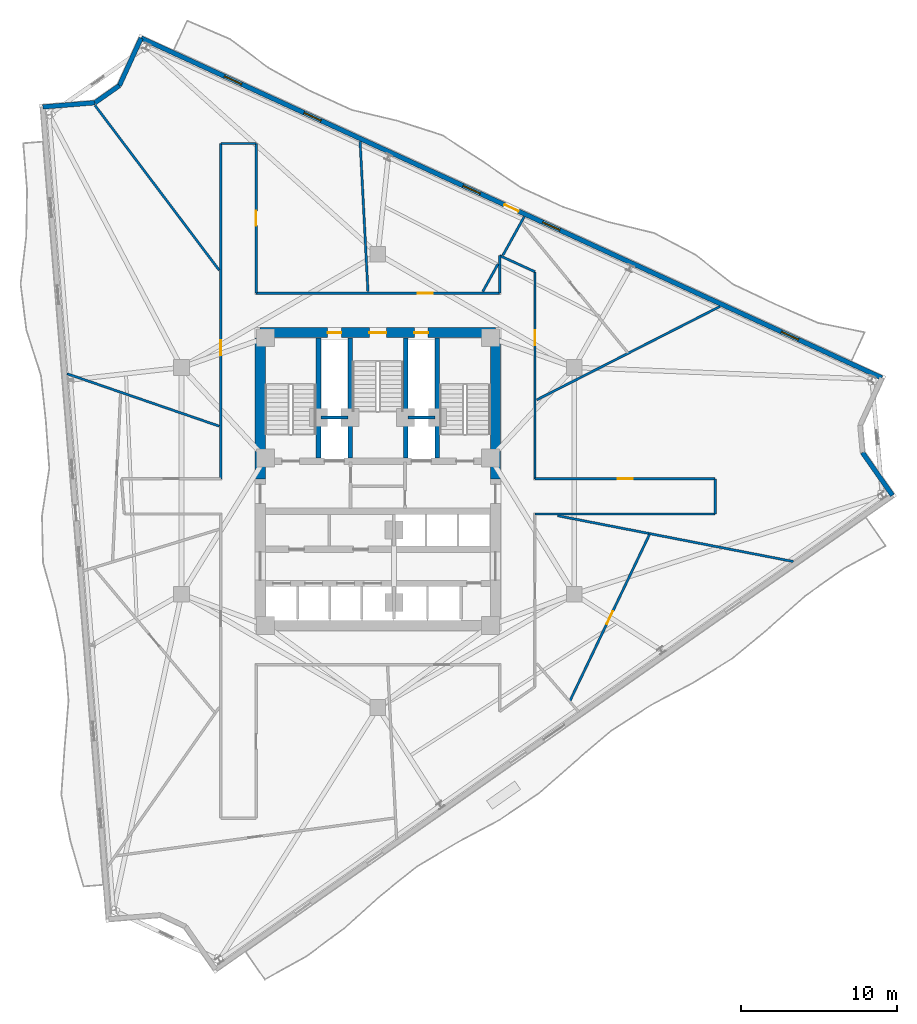
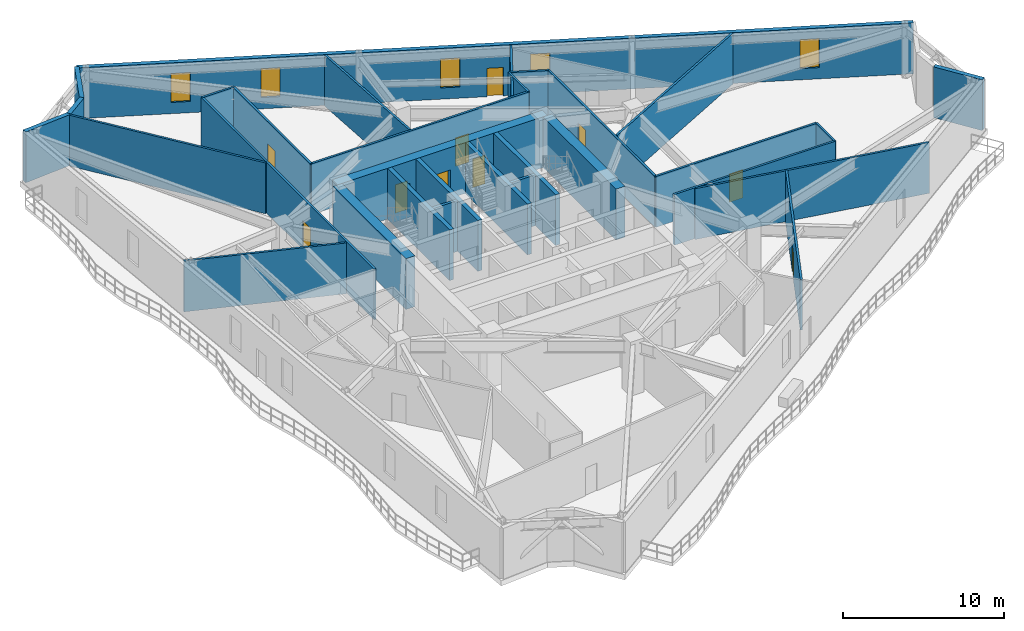
# One storey, part 9 of 14: 32 walls, 10 doors, 5 windows, 15 openings.
"""IFC4 building model written with IfcOpenShell, lengths in metres."""

import ifcopenshell
import ifcopenshell.guid

model = None  # the IFC model being written
_history = None  # IfcOwnerHistory: only IFC2X3 demands one
_inside = {}  # id of a spatial element -> (the spatial element, [elements in it])
_under = {}  # id of a project, library or spatial element -> (it, [spatial elements below it])
_declared = {}  # id of a project -> (the project, [libraries it declares])
_typed = {}  # id of a type object -> (the type object, [elements of that type])
_made_of = {}  # id of a material, layer set ... -> (it, [elements and type objects made of it])


def new_model(schema):
    """Start an empty IFC model of exactly this schema.

    Asked for "IFC4X3", IfcOpenShell would pick the latest addendum, in which some entities
    have other attributes; the version numbers below select the first issue.
    IFC2X3 requires an IfcOwnerHistory on every rooted entity: one is made here for all.
    """
    global model, _history
    if schema == "IFC4X3":
        model = ifcopenshell.file(schema_version=(4, 3, 0, 0))
    else:
        model = ifcopenshell.file(schema=schema)
    _inside.clear()
    _under.clear()
    _declared.clear()
    _typed.clear()
    _made_of.clear()
    _history = None
    if model.schema == "IFC2X3":
        org = make("IfcOrganization", Name="unknown")
        user = make(
            "IfcPersonAndOrganization",
            ThePerson=make("IfcPerson", FamilyName="unknown"),
            TheOrganization=org,
        )
        app = make(
            "IfcApplication",
            ApplicationDeveloper=org,
            Version="unknown",
            ApplicationFullName="unknown",
            ApplicationIdentifier="unknown",
        )
        _history = make(
            "IfcOwnerHistory",
            OwningUser=user,
            OwningApplication=app,
            ChangeAction="ADDED",
            CreationDate=0,
        )
    return model


def make(cls, **values):
    """One entity of the class cls with the attributes given. An attribute that is None is left unset."""
    return model.create_entity(
        cls, **{name: value for name, value in values.items() if value is not None}
    )


def rooted(cls, **values):
    """An entity with a GlobalId (a new one), such as an element, a storey or a relation."""
    return make(cls, GlobalId=ifcopenshell.guid.new(), OwnerHistory=_history, **values)


def si_unit(unit_type, name, prefix=None):
    """IfcSIUnit, for example si_unit("LENGTHUNIT", "METRE", prefix="MILLI")."""
    return make("IfcSIUnit", UnitType=unit_type, Prefix=prefix, Name=name)


def assignment(units):
    """IfcUnitAssignment: the units of a project."""
    return None if units is None else make("IfcUnitAssignment", Units=units)


def point(xyz):
    """IfcCartesianPoint."""
    return None if xyz is None else make("IfcCartesianPoint", Coordinates=xyz)


def direction(xyz):
    """IfcDirection."""
    return None if xyz is None else make("IfcDirection", DirectionRatios=xyz)


def frame(location, z_axis=None, x_axis=None):
    """IfcAxis2Placement3D, a coordinate frame: its origin and axes. An axis left out is left unset."""
    return make(
        "IfcAxis2Placement3D",
        Location=point(location),
        Axis=direction(z_axis),
        RefDirection=direction(x_axis),
    )


def frame_2d(location, x_axis=None):
    """IfcAxis2Placement2D, a coordinate frame in the plane: its origin and x axis."""
    return make(
        "IfcAxis2Placement2D", Location=point(location), RefDirection=direction(x_axis)
    )


def origin():
    """The frame at (0, 0, 0) with its axes left unset."""
    return frame((0.0, 0.0, 0.0))


def place(relative_to, where):
    """IfcLocalPlacement: puts the frame where relative to a parent placement (None: the world)."""
    return make(
        "IfcLocalPlacement", PlacementRelTo=relative_to, RelativePlacement=where
    )


def context(
    kind, dimensions, precision=None, world=None, true_north=None, identifier=None
):
    """IfcGeometricRepresentationContext, for example the 3D "Model" context."""
    return make(
        "IfcGeometricRepresentationContext",
        ContextIdentifier=identifier,
        ContextType=kind,
        CoordinateSpaceDimension=dimensions,
        Precision=precision,
        WorldCoordinateSystem=world,
        TrueNorth=true_north,
    )


def subcontext(parent, identifier, kind, view, scale=None):
    """IfcGeometricRepresentationSubContext, for example "Body" below "Model"."""
    return make(
        "IfcGeometricRepresentationSubContext",
        ContextIdentifier=identifier,
        ContextType=kind,
        ParentContext=parent,
        TargetScale=scale,
        TargetView=view,
    )


def project(units=None, contexts=None):
    """IfcProject with its units and contexts."""
    return rooted(
        "IfcProject",
        Name="project",
        RepresentationContexts=contexts,
        UnitsInContext=assignment(units),
    )


def spatial(cls, under=None, at=None, **own):
    """A site, building, storey or space (cls), placed at a placement, below another one or the project."""
    s = rooted(cls, ObjectPlacement=at, **own)
    if under is not None:
        _under.setdefault(under.id(), (under, []))[1].append(s)
    return s


def profile(cls, at=None, kind="AREA", **sizes):
    """A parametric profile (cls). Its sizes go by their IFC names, for example OverallWidth=200.0."""
    return make(cls, ProfileType=kind, Position=at, **sizes)


def rectangle(**sizes):
    """IfcRectangleProfileDef."""
    return profile("IfcRectangleProfileDef", **sizes)


def extrude(swept, where, along, depth):
    """IfcExtrudedAreaSolid: the profile swept, set in the frame where, extruded along a direction by depth."""
    return make(
        "IfcExtrudedAreaSolid",
        SweptArea=swept,
        Position=where,
        ExtrudedDirection=direction(along),
        Depth=depth,
    )


def shape(context_of_items, identifier, shape_type, items):
    """IfcShapeRepresentation: the items that make up one representation, for example the "Body"."""
    return make(
        "IfcShapeRepresentation",
        ContextOfItems=context_of_items,
        RepresentationIdentifier=identifier,
        RepresentationType=shape_type,
        Items=items,
    )


def material(Name=None, Category=None):
    """IfcMaterial."""
    return make("IfcMaterial", Name=Name, Category=Category)


def layer(
    of_material, thickness, ventilated=None, Name=None, Category=None, Priority=None
):
    """IfcMaterialLayer: one layer of a wall or slab, of a material (None: an air gap)."""
    return make(
        "IfcMaterialLayer",
        Material=of_material,
        LayerThickness=thickness,
        IsVentilated=ventilated,
        Name=Name,
        Category=Category,
        Priority=Priority,
    )


def layer_set(layers, Name=None):
    """IfcMaterialLayerSet."""
    return make("IfcMaterialLayerSet", MaterialLayers=layers, LayerSetName=Name)


def made_of(thing, what):
    """Note that an element or type object is made of a material, layer set ...; save() writes the relation."""
    if what is not None:
        _made_of.setdefault(what.id(), (what, []))[1].append(thing)
    return thing


def type_object(cls, material=None, **own):
    """A type object (cls), such as IfcWallType, which elements share."""
    return made_of(rooted(cls, **own), material)


def element(
    cls,
    number,
    at=None,
    inside=None,
    cuts=None,
    type_object=None,
    material=None,
    context=None,
    identifier="Body",
    shape_type=None,
    held_by="IfcProductDefinitionShape",
    body=None,
    shapes=None,
    **own,
):
    """One element of the class cls, such as IfcWall. Its Tag is "e" and its number.

    at: its placement. inside: the storey or other place that contains it. cuts: it is an
    opening in that element (IfcRelVoidsElement). A single representation is given by context,
    identifier, shape_type and body (its items); several are given by shapes. held_by: the class
    of the entity that holds the representations. save() writes the other relations.
    """
    e = rooted(cls, Tag="e%d" % number, ObjectPlacement=at, **own)
    if body is not None:
        shapes = [shape(context, identifier, shape_type, body)]
    if shapes is not None:
        e.Representation = make(held_by, Representations=shapes)
    if inside is not None:
        _inside.setdefault(inside.id(), (inside, []))[1].append(e)
    if cuts is not None:
        rooted(
            "IfcRelVoidsElement", RelatingBuildingElement=cuts, RelatedOpeningElement=e
        )
    if type_object is not None:
        _typed.setdefault(type_object.id(), (type_object, []))[1].append(e)
    return made_of(e, material)


def fill(opening, filler):
    """IfcRelFillsElement: the door or window that sits in an opening."""
    return rooted(
        "IfcRelFillsElement",
        RelatingOpeningElement=opening,
        RelatedBuildingElement=filler,
    )


def aggregate(whole, parts):
    """IfcRelAggregates: a whole, such as a stair, and the parts it consists of."""
    return rooted("IfcRelAggregates", RelatingObject=whole, RelatedObjects=parts)


def save(model, path):
    """Write the relations noted so far, then the file.

    IfcRelAggregates (storeys below a building ...), IfcRelContainedInSpatialStructure (elements
    in a storey), IfcRelDefinesByType, IfcRelAssociatesMaterial and IfcRelDeclares: one each for
    every whole, place, type object, material and project.
    """
    for whole, parts in _under.values():
        aggregate(whole, parts)
    for where, things in _inside.values():
        rooted(
            "IfcRelContainedInSpatialStructure",
            RelatedElements=things,
            RelatingStructure=where,
        )
    for kind, things in _typed.values():
        rooted("IfcRelDefinesByType", RelatedObjects=things, RelatingType=kind)
    for what, things in _made_of.values():
        rooted("IfcRelAssociatesMaterial", RelatedObjects=things, RelatingMaterial=what)
    for by, libraries in _declared.values():
        rooted("IfcRelDeclares", RelatingContext=by, RelatedDefinitions=libraries)
    model.write(path)


model = new_model("IFC4")

# Units and contexts
model_context = context("Model", 3, precision=1e-05, world=origin(), true_north=direction((0.0, 1.0)))
body_context = subcontext(model_context, "Body", "Model", "MODEL_VIEW")
ifc_project = project(units=[si_unit("LENGTHUNIT", "METRE"), si_unit("AREAUNIT", "SQUARE_METRE"), si_unit("VOLUMEUNIT", "CUBIC_METRE"), si_unit("PLANEANGLEUNIT", "RADIAN"), si_unit("MASSUNIT", "GRAM", prefix="KILO")], contexts=[model_context])

# Site, building, storey
site_placement = place(None, origin())
site = spatial("IfcSite", under=ifc_project, at=site_placement, CompositionType="ELEMENT")
building_placement = place(site_placement, origin())
building = spatial("IfcBuilding", under=site, at=building_placement, Name="Apsidion Concourse Tower", CompositionType="ELEMENT")
storey_placement = place(building_placement, frame((0.0, 0.0, 194.199951171875)))
storey = spatial("IfcBuildingStorey", under=building, at=storey_placement, Name="L45", CompositionType="ELEMENT", Elevation=194.199951171875)

# Wall, openings, door, windows
ifc_material_1 = material(Name="Precast concrete C40/50", Category="concrete")
ifc_layer_1 = layer(ifc_material_1, 0.300048828125)
ifc_layer_set_1 = layer_set([ifc_layer_1], Name="Precast concrete C40/50")
wall_type_1 = type_object("IfcWallType", Name="WL-EXT-300", PredefinedType="STANDARD", material=ifc_layer_set_1)
wall_1_placement = place(storey_placement, frame((-15.1435546875, 28.32177734375, 0.0), z_axis=(0.0, 0.0, 1.0), x_axis=(0.908932099953, -0.416944166136, 0.0)))
wall_1 = element("IfcWall", 1, at=wall_1_placement, inside=storey, type_object=wall_type_1, Name="L45 Precast Stone Facade Wall 01", PredefinedType="STANDARD", context=body_context, shape_type="SweptSolid", body=[
    extrude(rectangle(XDim=52.127685546875, YDim=0.300048828125, at=frame_2d((26.06396484375, 0.0))), origin(), (0.0, 0.0, 1.0), 3.85009765625),
])
opening_1_placement = place(wall_1_placement, frame((25.56396484375, 0.0, 0.0)))
opening_1 = element("IfcOpeningElement", 2, at=opening_1_placement, cuts=wall_1, Name="Opening D-T1R", PredefinedType="OPENING", context=body_context, shape_type="SweptSolid", body=[
    extrude(rectangle(XDim=1.0, YDim=2.14990234375, at=frame_2d((0.5, 1.074951171875))), frame((0.0, 0.16015625, 0.0), z_axis=(0.0, -1.0, 0.0), x_axis=(1.0, 0.0, 0.0)), (0.0, 0.0, 1.0), 0.320068359375),
])
opening_2_placement = place(wall_1_placement, frame((5.864013671875, 0.0, 0.85009765625)))
opening_2 = element("IfcOpeningElement", 3, at=opening_2_placement, cuts=wall_1, Name="Opening WN-06", PredefinedType="OPENING", context=body_context, shape_type="SweptSolid", body=[
    extrude(rectangle(XDim=1.199951171875, YDim=2.199951171875, at=frame_2d((0.60009765625, 1.10009765625))), frame((0.0, 0.16015625, 0.0), z_axis=(0.0, -1.0, 0.0), x_axis=(1.0, 0.0, 0.0)), (0.0, 0.0, 1.0), 0.320068359375),
])
opening_3_placement = place(wall_1_placement, frame((11.4638671875, 0.0, 0.85009765625)))
opening_3 = element("IfcOpeningElement", 4, at=opening_3_placement, cuts=wall_1, Name="Opening WN-06", PredefinedType="OPENING", context=body_context, shape_type="SweptSolid", body=[
    extrude(rectangle(XDim=1.199951171875, YDim=2.199951171875, at=frame_2d((0.60009765625, 1.10009765625))), frame((0.0, 0.16015625, 0.0), z_axis=(0.0, -1.0, 0.0), x_axis=(1.0, 0.0, 0.0)), (0.0, 0.0, 1.0), 0.320068359375),
])
opening_4_placement = place(wall_1_placement, frame((22.663818359375, 0.0, 0.85009765625)))
opening_4 = element("IfcOpeningElement", 5, at=opening_4_placement, cuts=wall_1, Name="Opening WN-06", PredefinedType="OPENING", context=body_context, shape_type="SweptSolid", body=[
    extrude(rectangle(XDim=1.199951171875, YDim=2.199951171875, at=frame_2d((0.60009765625, 1.10009765625))), frame((0.0, 0.16015625, 0.0), z_axis=(0.0, -1.0, 0.0), x_axis=(1.0, 0.0, 0.0)), (0.0, 0.0, 1.0), 0.320068359375),
])
opening_5_placement = place(wall_1_placement, frame((28.263916015625, 0.0, 0.85009765625)))
opening_5 = element("IfcOpeningElement", 6, at=opening_5_placement, cuts=wall_1, Name="Opening WN-06", PredefinedType="OPENING", context=body_context, shape_type="SweptSolid", body=[
    extrude(rectangle(XDim=1.199951171875, YDim=2.199951171875, at=frame_2d((0.60009765625, 1.10009765625))), frame((0.0, 0.16015625, 0.0), z_axis=(0.0, -1.0, 0.0), x_axis=(1.0, 0.0, 0.0)), (0.0, 0.0, 1.0), 0.320068359375),
])
opening_6_placement = place(wall_1_placement, frame((45.06396484375, 0.0, 0.85009765625)))
opening_6 = element("IfcOpeningElement", 7, at=opening_6_placement, cuts=wall_1, Name="Opening WN-06", PredefinedType="OPENING", context=body_context, shape_type="SweptSolid", body=[
    extrude(rectangle(XDim=1.199951171875, YDim=2.199951171875, at=frame_2d((0.60009765625, 1.10009765625))), frame((0.0, 0.16015625, 0.0), z_axis=(0.0, -1.0, 0.0), x_axis=(1.0, 0.0, 0.0)), (0.0, 0.0, 1.0), 0.320068359375),
])
ifc_material_2 = material(Name="Anodised aluminium EN AW-6063 T6", Category="aluminium")
door_type_1 = type_object("IfcDoorType", Name="DR-TER-1022R", OperationType="SINGLE_SWING_RIGHT", PredefinedType="DOOR", material=ifc_material_2)
door_1_placement = place(opening_1_placement, origin())
door_1 = element("IfcDoor", 8, at=door_1_placement, inside=storey, type_object=door_type_1, Name="L45 Balcony Access Door 3", OperationType="SINGLE_SWING_RIGHT", OverallHeight=2.14990234375, OverallWidth=1.0, PredefinedType="DOOR", context=body_context, shape_type="SweptSolid", body=[
    extrude(rectangle(XDim=1.0, YDim=2.14990234375, at=frame_2d((0.5, 1.074951171875))), frame((0.0, 0.02490234375, 0.0), z_axis=(0.0, -1.0, 0.0), x_axis=(1.0, 0.0, 0.0)), (0.0, 0.0, 1.0), 0.050048828125),
])
fill(opening_1, door_1)
ifc_material_3 = material(Name="Insulated laminated low-E glass", Category="glass")
window_type = type_object("IfcWindowType", Name="WN-OFF-1224", PartitioningType="SINGLE_PANEL", PredefinedType="WINDOW", material=ifc_material_3)
window_1_placement = place(opening_2_placement, origin())
window_1 = element("IfcWindow", 9, at=window_1_placement, inside=storey, type_object=window_type, Name="L45 Punched Facade Window 1-01", OverallHeight=2.199951171875, OverallWidth=1.199951171875, PartitioningType="SINGLE_PANEL", PredefinedType="WINDOW", context=body_context, shape_type="SweptSolid", body=[
    extrude(rectangle(XDim=1.199951171875, YDim=2.199951171875, at=frame_2d((0.60009765625, 1.10009765625))), frame((0.0, 0.030029296875, 0.0), z_axis=(0.0, -1.0, 0.0), x_axis=(1.0, 0.0, 0.0)), (0.0, 0.0, 1.0), 0.06005859375),
])
fill(opening_2, window_1)
window_2_placement = place(opening_3_placement, origin())
window_2 = element("IfcWindow", 10, at=window_2_placement, inside=storey, type_object=window_type, Name="L45 Punched Facade Window 1-02", OverallHeight=2.199951171875, OverallWidth=1.199951171875, PartitioningType="SINGLE_PANEL", PredefinedType="WINDOW", context=body_context, shape_type="SweptSolid", body=[
    extrude(rectangle(XDim=1.199951171875, YDim=2.199951171875, at=frame_2d((0.60009765625, 1.10009765625))), frame((0.0, 0.030029296875, 0.0), z_axis=(0.0, -1.0, 0.0), x_axis=(1.0, 0.0, 0.0)), (0.0, 0.0, 1.0), 0.06005859375),
])
fill(opening_3, window_2)
window_3_placement = place(opening_4_placement, origin())
window_3 = element("IfcWindow", 11, at=window_3_placement, inside=storey, type_object=window_type, Name="L45 Punched Facade Window 1-04", OverallHeight=2.199951171875, OverallWidth=1.199951171875, PartitioningType="SINGLE_PANEL", PredefinedType="WINDOW", context=body_context, shape_type="SweptSolid", body=[
    extrude(rectangle(XDim=1.199951171875, YDim=2.199951171875, at=frame_2d((0.60009765625, 1.10009765625))), frame((0.0, 0.030029296875, 0.0), z_axis=(0.0, -1.0, 0.0), x_axis=(1.0, 0.0, 0.0)), (0.0, 0.0, 1.0), 0.06005859375),
])
fill(opening_4, window_3)
window_4_placement = place(opening_5_placement, origin())
window_4 = element("IfcWindow", 12, at=window_4_placement, inside=storey, type_object=window_type, Name="L45 Punched Facade Window 1-05", OverallHeight=2.199951171875, OverallWidth=1.199951171875, PartitioningType="SINGLE_PANEL", PredefinedType="WINDOW", context=body_context, shape_type="SweptSolid", body=[
    extrude(rectangle(XDim=1.199951171875, YDim=2.199951171875, at=frame_2d((0.60009765625, 1.10009765625))), frame((0.0, 0.030029296875, 0.0), z_axis=(0.0, -1.0, 0.0), x_axis=(1.0, 0.0, 0.0)), (0.0, 0.0, 1.0), 0.06005859375),
])
fill(opening_5, window_4)
window_5_placement = place(opening_6_placement, origin())
window_5 = element("IfcWindow", 13, at=window_5_placement, inside=storey, type_object=window_type, Name="L45 Punched Facade Window 1-08", OverallHeight=2.199951171875, OverallWidth=1.199951171875, PartitioningType="SINGLE_PANEL", PredefinedType="WINDOW", context=body_context, shape_type="SweptSolid", body=[
    extrude(rectangle(XDim=1.199951171875, YDim=2.199951171875, at=frame_2d((0.60009765625, 1.10009765625))), frame((0.0, 0.030029296875, 0.0), z_axis=(0.0, -1.0, 0.0), x_axis=(1.0, 0.0, 0.0)), (0.0, 0.0, 1.0), 0.06005859375),
])
fill(opening_6, window_5)

# Walls
wall_2_placement = place(storey_placement, frame((30.99951171875, 1.809814453125, 0.0), z_axis=(0.0, 0.0, 1.0), x_axis=(0.573550493689, -0.819170208925, 0.0)))
element("IfcWall", 14, at=wall_2_placement, inside=storey, type_object=wall_type_1, Name="L45 Precast Stone Facade Wall 04", PredefinedType="STANDARD", context=body_context, shape_type="SweptSolid", body=[
    extrude(rectangle(XDim=3.345703125, YDim=0.300048828125, at=frame_2d((1.6728515625, 0.0))), origin(), (0.0, 0.0, 1.0), 3.85009765625),
])
wall_3_placement = place(storey_placement, frame((-21.4345703125, 23.9169921875, 0.0), z_axis=(0.0, 0.0, 1.0), x_axis=(0.99672253381, 0.080896171692, 0.0)))
element("IfcWall", 15, at=wall_3_placement, inside=storey, type_object=wall_type_1, Name="L45 Precast Stone Facade Wall 10", PredefinedType="STANDARD", context=body_context, shape_type="SweptSolid", body=[
    extrude(rectangle(XDim=3.346923828125, YDim=0.300048828125, at=frame_2d((1.67333984375, 0.0))), origin(), (0.0, 0.0, 1.0), 3.85009765625),
])
wall_4_placement = place(storey_placement, frame((-18.0986328125, 24.187744140625, 0.0), z_axis=(0.0, 0.0, 1.0), x_axis=(0.819147570989, 0.573582824833, 0.0)))
element("IfcWall", 16, at=wall_4_placement, inside=storey, type_object=wall_type_1, Name="L45 Precast Stone Facade Wall 11", PredefinedType="STANDARD", context=body_context, shape_type="SweptSolid", body=[
    extrude(rectangle(XDim=1.90380859375, YDim=0.300048828125, at=frame_2d((0.951904296875, 0.0))), origin(), (0.0, 0.0, 1.0), 3.85009765625),
])
wall_5_placement = place(storey_placement, frame((-16.5390625, 25.27978515625, 0.0), z_axis=(0.0, 0.0, 1.0), x_axis=(0.416966150663, 0.908922014917, 0.0)))
element("IfcWall", 17, at=wall_5_placement, inside=storey, type_object=wall_type_1, Name="L45 Precast Stone Facade Wall 12", PredefinedType="STANDARD", context=body_context, shape_type="SweptSolid", body=[
    extrude(rectangle(XDim=3.346923828125, YDim=0.300048828125, at=frame_2d((1.67333984375, 0.0))), origin(), (0.0, 0.0, 1.0), 3.85009765625),
])

# Wall, opening, door
ifc_material_4 = material(Name="Gypsum plasterboard partition")
ifc_layer_2 = layer(ifc_material_4, 0.14990234375)
ifc_layer_set_2 = layer_set([ifc_layer_2], Name="Gypsum plasterboard partition")
wall_type_2 = type_object("IfcWallType", Name="WL-INT-PAR-150", PredefinedType="PARTITIONING", material=ifc_layer_set_2)
wall_6_placement = place(storey_placement, frame((-10.050048828125, 0.1298828125, 0.0), z_axis=(0.0, 0.0, 1.0), x_axis=(0.0, 1.0, 0.0)))
wall_6 = element("IfcWall", 18, at=wall_6_placement, inside=storey, type_object=wall_type_2, Name="L45 Interior Partition WL-L45-CORR-10", PredefinedType="PARTITIONING", context=body_context, shape_type="SweptSolid", body=[
    extrude(rectangle(XDim=21.4501953125, YDim=0.14990234375, at=frame_2d((10.72509765625, 0.0))), origin(), (0.0, 0.0, 1.0), 3.85009765625),
])
opening_7_placement = place(wall_6_placement, frame((7.9033203125, 0.0, 0.0)))
opening_7 = element("IfcOpeningElement", 19, at=opening_7_placement, cuts=wall_6, Name="Opening D-01L", PredefinedType="OPENING", context=body_context, shape_type="SweptSolid", body=[
    extrude(rectangle(XDim=0.949951171875, YDim=2.14990234375, at=frame_2d((0.47509765625, 1.074951171875))), frame((0.0, 0.0849609375, 0.0), z_axis=(0.0, -1.0, 0.0), x_axis=(1.0, 0.0, 0.0)), (0.0, 0.0, 1.0), 0.169921875),
])
ifc_material_5 = material(Name="Brushed stainless steel 316", Category="steel")
door_type_2 = type_object("IfcDoorType", Name="DR-INT-D01L", OperationType="SINGLE_SWING_LEFT", PredefinedType="DOOR", material=ifc_material_5)
door_2_placement = place(opening_7_placement, origin())
door_2 = element("IfcDoor", 20, at=door_2_placement, inside=storey, type_object=door_type_2, Name="L45 Corridor Entry Door 09", OperationType="SINGLE_SWING_LEFT", OverallHeight=2.14990234375, OverallWidth=0.949951171875, PredefinedType="DOOR", context=body_context, shape_type="SweptSolid", body=[
    extrude(rectangle(XDim=0.949951171875, YDim=2.14990234375, at=frame_2d((0.47509765625, 1.074951171875))), frame((0.0, 0.02490234375, 0.0), z_axis=(0.0, -1.0, 0.0), x_axis=(1.0, 0.0, 0.0)), (0.0, 0.0, 1.0), 0.050048828125),
])
fill(opening_7, door_2)

# Wall
wall_7_placement = place(storey_placement, frame((-10.050048828125, 21.580078125, 0.0), z_axis=(0.0, 0.0, 1.0), x_axis=(1.0, 0.0, 0.0)))
element("IfcWall", 21, at=wall_7_placement, inside=storey, type_object=wall_type_2, Name="L45 Interior Partition WL-L45-CORR-11", PredefinedType="PARTITIONING", context=body_context, shape_type="SweptSolid", body=[
    extrude(rectangle(XDim=2.260009765625, YDim=0.14990234375, at=frame_2d((1.1298828125, 0.0))), origin(), (0.0, 0.0, 1.0), 3.85009765625),
])

# Wall, opening, door
wall_8_placement = place(storey_placement, frame((-7.7900390625, 21.580078125, 0.0), z_axis=(0.0, 0.0, 1.0), x_axis=(0.0, -1.0, 0.0)))
wall_8 = element("IfcWall", 22, at=wall_8_placement, inside=storey, type_object=wall_type_2, Name="L45 Interior Partition WL-L45-CORR-12", PredefinedType="PARTITIONING", context=body_context, shape_type="SweptSolid", body=[
    extrude(rectangle(XDim=9.580078125, YDim=0.14990234375, at=frame_2d((4.7900390625, 0.0))), origin(), (0.0, 0.0, 1.0), 3.85009765625),
])
opening_8_placement = place(wall_8_placement, frame((4.31494140625, 0.0, 0.0)))
opening_8 = element("IfcOpeningElement", 23, at=opening_8_placement, cuts=wall_8, Name="Opening D-01R", PredefinedType="OPENING", context=body_context, shape_type="SweptSolid", body=[
    extrude(rectangle(XDim=0.949951171875, YDim=2.14990234375, at=frame_2d((0.47509765625, 1.074951171875))), frame((0.0, 0.0849609375, 0.0), z_axis=(0.0, -1.0, 0.0), x_axis=(1.0, 0.0, 0.0)), (0.0, 0.0, 1.0), 0.169921875),
])
door_type_3 = type_object("IfcDoorType", Name="DR-INT-D01R", OperationType="SINGLE_SWING_RIGHT", PredefinedType="DOOR", material=ifc_material_5)
door_3_placement = place(opening_8_placement, origin())
door_3 = element("IfcDoor", 24, at=door_3_placement, inside=storey, type_object=door_type_3, Name="L45 Corridor Entry Door 08", OperationType="SINGLE_SWING_RIGHT", OverallHeight=2.14990234375, OverallWidth=0.949951171875, PredefinedType="DOOR", context=body_context, shape_type="SweptSolid", body=[
    extrude(rectangle(XDim=0.949951171875, YDim=2.14990234375, at=frame_2d((0.47509765625, 1.074951171875))), frame((0.0, 0.02490234375, 0.0), z_axis=(0.0, -1.0, 0.0), x_axis=(1.0, 0.0, 0.0)), (0.0, 0.0, 1.0), 0.050048828125),
])
fill(opening_8, door_3)

wall_9_placement = place(storey_placement, frame((-7.7900390625, 12.0, 0.0), z_axis=(0.0, 0.0, 1.0), x_axis=(1.0, 0.0, 0.0)))
wall_9 = element("IfcWall", 25, at=wall_9_placement, inside=storey, type_object=wall_type_2, Name="L45 Interior Partition WL-L45-CORR-13", PredefinedType="PARTITIONING", context=body_context, shape_type="SweptSolid", body=[
    extrude(rectangle(XDim=15.580078125, YDim=0.14990234375, at=frame_2d((7.7900390625, 0.0))), origin(), (0.0, 0.0, 1.0), 3.85009765625),
])
opening_9_placement = place(wall_9_placement, frame((10.348388671875, 0.0, 0.0)))
opening_9 = element("IfcOpeningElement", 26, at=opening_9_placement, cuts=wall_9, Name="Opening D-01L", PredefinedType="OPENING", context=body_context, shape_type="SweptSolid", body=[
    extrude(rectangle(XDim=0.949951171875, YDim=2.14990234375, at=frame_2d((0.47509765625, 1.074951171875))), frame((0.0, 0.0849609375, 0.0), z_axis=(0.0, -1.0, 0.0), x_axis=(1.0, 0.0, 0.0)), (0.0, 0.0, 1.0), 0.169921875),
])
door_4_placement = place(opening_9_placement, origin())
door_4 = element("IfcDoor", 27, at=door_4_placement, inside=storey, type_object=door_type_2, Name="L45 Corridor Entry Door 07", OperationType="SINGLE_SWING_LEFT", OverallHeight=2.14990234375, OverallWidth=0.949951171875, PredefinedType="DOOR", context=body_context, shape_type="SweptSolid", body=[
    extrude(rectangle(XDim=0.949951171875, YDim=2.14990234375, at=frame_2d((0.47509765625, 1.074951171875))), frame((0.0, 0.02490234375, 0.0), z_axis=(0.0, -1.0, 0.0), x_axis=(1.0, 0.0, 0.0)), (0.0, 0.0, 1.0), 0.050048828125),
])
fill(opening_9, door_4)

# Walls
wall_10_placement = place(storey_placement, frame((7.7900390625, 12.0, 0.0), z_axis=(0.0, 0.0, 1.0), x_axis=(0.0, 1.0, 0.0)))
element("IfcWall", 28, at=wall_10_placement, inside=storey, type_object=wall_type_2, Name="L45 Interior Partition WL-L45-CORR-14", PredefinedType="PARTITIONING", context=body_context, shape_type="SweptSolid", body=[
    extrude(rectangle(XDim=2.40771484375, YDim=0.14990234375, at=frame_2d((1.203857421875, 0.0))), origin(), (0.0, 0.0, 1.0), 3.85009765625),
])
wall_11_placement = place(storey_placement, frame((7.7900390625, 14.40771484375, 0.0), z_axis=(0.0, 0.0, 1.0), x_axis=(0.908908252736, -0.416996148792, 0.0)))
element("IfcWall", 29, at=wall_11_placement, inside=storey, type_object=wall_type_2, Name="L45 Interior Partition WL-L45-CORR-15", PredefinedType="PARTITIONING", context=body_context, shape_type="SweptSolid", body=[
    extrude(rectangle(XDim=2.486572265625, YDim=0.14990234375, at=frame_2d((1.2431640625, 0.0))), origin(), (0.0, 0.0, 1.0), 3.85009765625),
])

# Wall, opening, door
wall_12_placement = place(storey_placement, frame((10.050048828125, 13.370849609375, 0.0), z_axis=(0.0, 0.0, 1.0), x_axis=(0.0, -1.0, 0.0)))
wall_12 = element("IfcWall", 30, at=wall_12_placement, inside=storey, type_object=wall_type_2, Name="L45 Interior Partition WL-L45-CORR-16", PredefinedType="PARTITIONING", context=body_context, shape_type="SweptSolid", body=[
    extrude(rectangle(XDim=13.240966796875, YDim=0.14990234375, at=frame_2d((6.62060546875, 0.0))), origin(), (0.0, 0.0, 1.0), 3.85009765625),
])
opening_10_placement = place(wall_12_placement, frame((3.752685546875, 0.0, 0.0)))
opening_10 = element("IfcOpeningElement", 31, at=opening_10_placement, cuts=wall_12, Name="Opening D-01R", PredefinedType="OPENING", context=body_context, shape_type="SweptSolid", body=[
    extrude(rectangle(XDim=0.949951171875, YDim=2.14990234375, at=frame_2d((0.47509765625, 1.074951171875))), frame((0.0, 0.0849609375, 0.0), z_axis=(0.0, -1.0, 0.0), x_axis=(1.0, 0.0, 0.0)), (0.0, 0.0, 1.0), 0.169921875),
])
door_5_placement = place(opening_10_placement, origin())
door_5 = element("IfcDoor", 32, at=door_5_placement, inside=storey, type_object=door_type_3, Name="L45 Corridor Entry Door 06", OperationType="SINGLE_SWING_RIGHT", OverallHeight=2.14990234375, OverallWidth=0.949951171875, PredefinedType="DOOR", context=body_context, shape_type="SweptSolid", body=[
    extrude(rectangle(XDim=0.949951171875, YDim=2.14990234375, at=frame_2d((0.47509765625, 1.074951171875))), frame((0.0, 0.02490234375, 0.0), z_axis=(0.0, -1.0, 0.0), x_axis=(1.0, 0.0, 0.0)), (0.0, 0.0, 1.0), 0.050048828125),
])
fill(opening_10, door_5)

wall_13_placement = place(storey_placement, frame((10.050048828125, 0.1298828125, 0.0), z_axis=(0.0, 0.0, 1.0), x_axis=(1.0, 0.0, 0.0)))
wall_13 = element("IfcWall", 33, at=wall_13_placement, inside=storey, type_object=wall_type_2, Name="L45 Interior Partition WL-L45-CORR-17", PredefinedType="PARTITIONING", context=body_context, shape_type="SweptSolid", body=[
    extrude(rectangle(XDim=11.530029296875, YDim=0.14990234375, at=frame_2d((5.76513671875, 0.0))), origin(), (0.0, 0.0, 1.0), 3.85009765625),
])
opening_11_placement = place(wall_13_placement, frame((5.2900390625, 0.0, 0.0)))
opening_11 = element("IfcOpeningElement", 34, at=opening_11_placement, cuts=wall_13, Name="Opening D-01L", PredefinedType="OPENING", context=body_context, shape_type="SweptSolid", body=[
    extrude(rectangle(XDim=0.949951171875, YDim=2.14990234375, at=frame_2d((0.47509765625, 1.074951171875))), frame((0.0, 0.0849609375, 0.0), z_axis=(0.0, -1.0, 0.0), x_axis=(1.0, 0.0, 0.0)), (0.0, 0.0, 1.0), 0.169921875),
])
door_6_placement = place(opening_11_placement, origin())
door_6 = element("IfcDoor", 35, at=door_6_placement, inside=storey, type_object=door_type_2, Name="L45 Corridor Entry Door 05", OperationType="SINGLE_SWING_LEFT", OverallHeight=2.14990234375, OverallWidth=0.949951171875, PredefinedType="DOOR", context=body_context, shape_type="SweptSolid", body=[
    extrude(rectangle(XDim=0.949951171875, YDim=2.14990234375, at=frame_2d((0.47509765625, 1.074951171875))), frame((0.0, 0.02490234375, 0.0), z_axis=(0.0, -1.0, 0.0), x_axis=(1.0, 0.0, 0.0)), (0.0, 0.0, 1.0), 0.050048828125),
])
fill(opening_11, door_6)

# Walls
wall_14_placement = place(storey_placement, frame((21.580078125, 0.1298828125, 0.0), z_axis=(0.0, 0.0, 1.0), x_axis=(0.0, -1.0, 0.0)))
element("IfcWall", 36, at=wall_14_placement, inside=storey, type_object=wall_type_2, Name="L45 Interior Partition WL-L45-CORR-18", PredefinedType="PARTITIONING", context=body_context, shape_type="SweptSolid", body=[
    extrude(rectangle(XDim=2.259765625, YDim=0.14990234375, at=frame_2d((1.1298828125, 0.0))), origin(), (0.0, 0.0, 1.0), 3.85009765625),
])
wall_15_placement = place(storey_placement, frame((21.580078125, -2.1298828125, 0.0), z_axis=(0.0, 0.0, 1.0), x_axis=(-1.0, 0.0, 0.0)))
element("IfcWall", 37, at=wall_15_placement, inside=storey, type_object=wall_type_2, Name="L45 Interior Partition WL-L45-CORR-19", PredefinedType="PARTITIONING", context=body_context, shape_type="SweptSolid", body=[
    extrude(rectangle(XDim=11.530029296875, YDim=0.14990234375, at=frame_2d((5.76513671875, 0.0))), origin(), (0.0, 0.0, 1.0), 3.85009765625),
])
wall_16_placement = place(storey_placement, frame((10.155029296875, 5.17431640625, 0.0), z_axis=(0.0, 0.0, 1.0), x_axis=(0.891008793656, 0.453986045631, 0.0)))
element("IfcWall", 38, at=wall_16_placement, inside=storey, type_object=wall_type_2, Name="L45 Interior Partition WL-L45-RAD-01-1", PredefinedType="PARTITIONING", context=body_context, shape_type="SweptSolid", body=[
    extrude(rectangle(XDim=13.1689453125, YDim=0.14990234375, at=frame_2d((6.58447265625, 0.0))), origin(), (0.0, 0.0, 1.0), 3.85009765625),
])
wall_17_placement = place(storey_placement, frame((6.7099609375, 12.10498046875, 0.0), z_axis=(0.0, 0.0, 1.0), x_axis=(0.484828496674, 0.874609243499, 0.0)))
element("IfcWall", 39, at=wall_17_placement, inside=storey, type_object=wall_type_2, Name="L45 Interior Partition WL-L45-RAD-02-1", PredefinedType="PARTITIONING", context=body_context, shape_type="SweptSolid", body=[
    extrude(rectangle(XDim=2.01123046875, YDim=0.14990234375, at=frame_2d((1.005615234375, 0.0))), origin(), (0.0, 0.0, 1.0), 3.85009765625),
])
wall_18_placement = place(storey_placement, frame((7.99755859375, 14.427978515625, 0.0), z_axis=(0.0, 0.0, 1.0), x_axis=(0.484790982179, 0.874630038129, 0.0)))
element("IfcWall", 40, at=wall_18_placement, inside=storey, type_object=wall_type_2, Name="L45 Interior Partition WL-L45-RAD-02-2", PredefinedType="PARTITIONING", context=body_context, shape_type="SweptSolid", body=[
    extrude(rectangle(XDim=2.8232421875, YDim=0.14990234375, at=frame_2d((1.41162109375, 0.0))), origin(), (0.0, 0.0, 1.0), 3.85009765625),
])
wall_19_placement = place(storey_placement, frame((-0.634521484375, 12.10498046875, 0.0), z_axis=(0.0, 0.0, 1.0), x_axis=(-0.05233381501, 0.99862964697, 0.0)))
element("IfcWall", 41, at=wall_19_placement, inside=storey, type_object=wall_type_2, Name="L45 Interior Partition WL-L45-RAD-03-1", PredefinedType="PARTITIONING", context=body_context, shape_type="SweptSolid", body=[
    extrude(rectangle(XDim=9.6240234375, YDim=0.14990234375, at=frame_2d((4.81201171875, 0.0))), origin(), (0.0, 0.0, 1.0), 3.85009765625),
])
wall_20_placement = place(storey_placement, frame((-10.155029296875, 13.47607421875, 0.0), z_axis=(0.0, 0.0, 1.0), x_axis=(-0.601808882226, 0.79864013753, 0.0)))
element("IfcWall", 42, at=wall_20_placement, inside=storey, type_object=wall_type_2, Name="L45 Interior Partition WL-L45-RAD-04-1", PredefinedType="PARTITIONING", context=body_context, shape_type="SweptSolid", body=[
    extrude(rectangle(XDim=13.204833984375, YDim=0.14990234375, at=frame_2d((6.6025390625, 0.0))), origin(), (0.0, 0.0, 1.0), 3.85009765625),
])
wall_21_placement = place(storey_placement, frame((-10.155029296875, 3.49658203125, 0.0), z_axis=(0.0, 0.0, 1.0), x_axis=(-0.945516630695, 0.325573802814, 0.0)))
element("IfcWall", 43, at=wall_21_placement, inside=storey, type_object=wall_type_2, Name="L45 Interior Partition WL-L45-RAD-05-1", PredefinedType="PARTITIONING", context=body_context, shape_type="SweptSolid", body=[
    extrude(rectangle(XDim=10.288330078125, YDim=0.14990234375, at=frame_2d((5.14404296875, 0.0))), origin(), (0.0, 0.0, 1.0), 3.85009765625),
])
wall_22_placement = place(storey_placement, frame((11.498046875, -2.235107421875, 0.0), z_axis=(0.0, 0.0, 1.0), x_axis=(0.981627212847, -0.190808844128, 0.0)))
element("IfcWall", 44, at=wall_22_placement, inside=storey, type_object=wall_type_2, Name="L45 Interior Partition WL-L45-RAD-10-1", PredefinedType="PARTITIONING", context=body_context, shape_type="SweptSolid", body=[
    extrude(rectangle(XDim=15.365478515625, YDim=0.14990234375, at=frame_2d((7.6826171875, 0.0))), origin(), (0.0, 0.0, 1.0), 3.85009765625),
])

# Wall, opening, door
wall_23_placement = place(storey_placement, frame((12.281982421875, -14.090576171875, 0.0), z_axis=(0.0, 0.0, 1.0), x_axis=(0.431336595795, 0.902191077947, 0.0)))
wall_23 = element("IfcWall", 45, at=wall_23_placement, inside=storey, type_object=wall_type_2, Name="L45 Interior Partition WL-L45-CHD-OFS03", PredefinedType="PARTITIONING", context=body_context, shape_type="SweptSolid", body=[
    extrude(rectangle(XDim=11.84326171875, YDim=0.14990234375, at=frame_2d((5.921630859375, 0.0))), origin(), (0.0, 0.0, 1.0), 3.85009765625),
])
opening_12_placement = place(wall_23_placement, frame((5.4716796875, 0.0, 0.0)))
opening_12 = element("IfcOpeningElement", 46, at=opening_12_placement, cuts=wall_23, Name="Opening D-02R", PredefinedType="OPENING", context=body_context, shape_type="SweptSolid", body=[
    extrude(rectangle(XDim=0.89990234375, YDim=2.10009765625, at=frame_2d((0.449951171875, 1.050048828125))), frame((0.0, 0.0849609375, 0.0), z_axis=(0.0, -1.0, 0.0), x_axis=(1.0, 0.0, 0.0)), (0.0, 0.0, 1.0), 0.169921875),
])
door_type_4 = type_object("IfcDoorType", Name="DR-INT-D02R", OperationType="SINGLE_SWING_RIGHT", PredefinedType="DOOR", material=ifc_material_2)
door_7_placement = place(opening_12_placement, origin())
door_7 = element("IfcDoor", 47, at=door_7_placement, inside=storey, type_object=door_type_4, Name="L45 Suite Connecting Door OFS03", OperationType="SINGLE_SWING_RIGHT", OverallHeight=2.10009765625, OverallWidth=0.89990234375, PredefinedType="DOOR", context=body_context, shape_type="SweptSolid", body=[
    extrude(rectangle(XDim=0.89990234375, YDim=2.10009765625, at=frame_2d((0.449951171875, 1.050048828125))), frame((0.0, 0.02490234375, 0.0), z_axis=(0.0, -1.0, 0.0), x_axis=(1.0, 0.0, 0.0)), (0.0, 0.0, 1.0), 0.050048828125),
])
fill(opening_12, door_7)

# Walls
ifc_layer_3 = layer(ifc_material_4, 0.199951171875)
ifc_layer_set_3 = layer_set([ifc_layer_3], Name="Gypsum plasterboard partition")
wall_type_3 = type_object("IfcWallType", Name="WL-INT-PAR-200", PredefinedType="PARTITIONING", material=ifc_layer_set_3)
for number, where, z_axis, x_axis, name in (
    (48, (-3.64990234375, 4.050048828125, 0.0), (0.0, 0.0, 1.0), (1.0, 0.0, 0.0), "L45 Interior Partition WL-L45-FF1-N"),
    (49, (1.919921875, 4.050048828125, 0.0), (0.0, 0.0, 1.0), (1.0, 0.0, 0.0), "L45 Interior Partition WL-L45-FF2-N"),
):
    element("IfcWall", number, at=place(storey_placement, frame(where, z_axis=z_axis, x_axis=x_axis)), inside=storey, type_object=wall_type_3, Name=name, PredefinedType="PARTITIONING", context=body_context, shape_type="SweptSolid", body=[
        extrude(rectangle(XDim=1.72998046875, YDim=0.199951171875, at=frame_2d((0.864990234375, 0.0))), origin(), (0.0, 0.0, 1.0), 3.85009765625),
    ])
ifc_material_6 = material(Name="Concrete C50/60", Category="concrete")
ifc_layer_4 = layer(ifc_material_6, 0.300048828125)
ifc_layer_set_4 = layer_set([ifc_layer_4], Name="Concrete C50/60")
wall_type_4 = type_object("IfcWallType", Name="WL-SH-300", PredefinedType="SHEAR", material=ifc_layer_set_4)
for number, where, z_axis, x_axis, name in (
    (50, (-3.800048828125, 1.449951171875, 0.0), (0.0, 0.0, 1.0), (0.0, 1.0, 0.0), "L45 Central Core Shear Wall V1"),
    (51, (-1.77490234375, 1.449951171875, 0.0), (0.0, 0.0, 1.0), (0.0, 1.0, 0.0), "L45 Central Core Shear Wall V2"),
    (52, (1.77490234375, 1.449951171875, 0.0), (0.0, 0.0, 1.0), (0.0, 1.0, 0.0), "L45 Central Core Shear Wall V3"),
    (53, (3.800048828125, 1.449951171875, 0.0), (0.0, 0.0, 1.0), (0.0, 1.0, 0.0), "L45 Central Core Shear Wall V4"),
):
    element("IfcWall", number, at=place(storey_placement, frame(where, z_axis=z_axis, x_axis=x_axis)), inside=storey, type_object=wall_type_4, Name=name, PredefinedType="SHEAR", context=body_context, shape_type="SweptSolid", body=[
        extrude(rectangle(XDim=7.699951171875, YDim=0.300048828125, at=frame_2d((3.85009765625, 0.0))), origin(), (0.0, 0.0, 1.0), 3.85009765625),
    ])

# Wall, openings, doors
ifc_layer_5 = layer(ifc_material_6, 0.64990234375)
ifc_layer_set_5 = layer_set([ifc_layer_5], Name="Concrete C50/60")
wall_type_5 = type_object("IfcWallType", Name="WL-SH-650", PredefinedType="SHEAR", material=ifc_layer_set_5)
wall_24_placement = place(storey_placement, frame((-7.52490234375, 9.47509765625, 0.0), z_axis=(0.0, 0.0, 1.0), x_axis=(1.0, 0.0, 0.0)))
wall_24 = element("IfcWall", 54, at=wall_24_placement, inside=storey, type_object=wall_type_5, Name="L45 Central Core Shear Wall N", PredefinedType="SHEAR", context=body_context, shape_type="SweptSolid", body=[
    extrude(rectangle(XDim=15.0498046875, YDim=0.64990234375, at=frame_2d((7.52490234375, 0.0))), origin(), (0.0, 0.0, 1.0), 3.85009765625),
])
opening_13_placement = place(wall_24_placement, frame((6.97509765625, 0.0, 0.0)))
opening_13 = element("IfcOpeningElement", 55, at=opening_13_placement, cuts=wall_24, Name="Opening D-STL", PredefinedType="OPENING", context=body_context, shape_type="SweptSolid", body=[
    extrude(rectangle(XDim=1.10009765625, YDim=2.14990234375, at=frame_2d((0.550048828125, 1.074951171875))), frame((0.0, 0.3349609375, 0.0), z_axis=(0.0, -1.0, 0.0), x_axis=(1.0, 0.0, 0.0)), (0.0, 0.0, 1.0), 0.669921875),
])
opening_14_placement = place(wall_24_placement, frame((4.304931640625, 0.0, 0.0)))
opening_14 = element("IfcOpeningElement", 56, at=opening_14_placement, cuts=wall_24, Name="Opening D-05L", PredefinedType="OPENING", context=body_context, shape_type="SweptSolid", body=[
    extrude(rectangle(XDim=0.8798828125, YDim=2.14990234375, at=frame_2d((0.43994140625, 1.074951171875))), frame((0.0, 0.3349609375, 0.0), z_axis=(0.0, -1.0, 0.0), x_axis=(1.0, 0.0, 0.0)), (0.0, 0.0, 1.0), 0.669921875),
])
opening_15_placement = place(wall_24_placement, frame((9.864990234375, 0.0, 0.0)))
opening_15 = element("IfcOpeningElement", 57, at=opening_15_placement, cuts=wall_24, Name="Opening D-05R", PredefinedType="OPENING", context=body_context, shape_type="SweptSolid", body=[
    extrude(rectangle(XDim=0.8798828125, YDim=2.14990234375, at=frame_2d((0.43994140625, 1.074951171875))), frame((0.0, 0.3349609375, 0.0), z_axis=(0.0, -1.0, 0.0), x_axis=(1.0, 0.0, 0.0)), (0.0, 0.0, 1.0), 0.669921875),
])
door_type_5 = type_object("IfcDoorType", Name="DR-INT-D05L", OperationType="SINGLE_SWING_LEFT", PredefinedType="DOOR", material=ifc_material_5)
door_8_placement = place(opening_14_placement, origin())
door_8 = element("IfcDoor", 58, at=door_8_placement, inside=storey, type_object=door_type_5, Name="L45 Electrical Riser Shaft Access Door", OperationType="SINGLE_SWING_LEFT", OverallHeight=2.14990234375, OverallWidth=0.8798828125, PredefinedType="DOOR", context=body_context, shape_type="SweptSolid", body=[
    extrude(rectangle(XDim=0.8798828125, YDim=2.14990234375, at=frame_2d((0.43994140625, 1.074951171875))), frame((0.0, 0.02490234375, 0.0), z_axis=(0.0, -1.0, 0.0), x_axis=(1.0, 0.0, 0.0)), (0.0, 0.0, 1.0), 0.050048828125),
])
fill(opening_14, door_8)
door_type_6 = type_object("IfcDoorType", Name="DR-INT-D05R", OperationType="SINGLE_SWING_RIGHT", PredefinedType="DOOR", material=ifc_material_5)
door_9_placement = place(opening_15_placement, origin())
door_9 = element("IfcDoor", 59, at=door_9_placement, inside=storey, type_object=door_type_6, Name="L45 Mechanical Riser Shaft Access Door", OperationType="SINGLE_SWING_RIGHT", OverallHeight=2.14990234375, OverallWidth=0.8798828125, PredefinedType="DOOR", context=body_context, shape_type="SweptSolid", body=[
    extrude(rectangle(XDim=0.8798828125, YDim=2.14990234375, at=frame_2d((0.43994140625, 1.074951171875))), frame((0.0, 0.02490234375, 0.0), z_axis=(0.0, -1.0, 0.0), x_axis=(1.0, 0.0, 0.0)), (0.0, 0.0, 1.0), 0.050048828125),
])
fill(opening_15, door_9)
door_type_7 = type_object("IfcDoorType", Name="DR-INT-ST1L", OperationType="SINGLE_SWING_LEFT", PredefinedType="DOOR", material=ifc_material_5)
door_10_placement = place(opening_13_placement, origin())
door_10 = element("IfcDoor", 60, at=door_10_placement, inside=storey, type_object=door_type_7, Name="L45 Core Exit Stair ST3 Door", OperationType="SINGLE_SWING_LEFT", OverallHeight=2.14990234375, OverallWidth=1.10009765625, PredefinedType="DOOR", context=body_context, shape_type="SweptSolid", body=[
    extrude(rectangle(XDim=1.10009765625, YDim=2.14990234375, at=frame_2d((0.550048828125, 1.074951171875))), frame((0.0, 0.02490234375, 0.0), z_axis=(0.0, -1.0, 0.0), x_axis=(1.0, 0.0, 0.0)), (0.0, 0.0, 1.0), 0.050048828125),
])
fill(opening_13, door_10)

# Walls
for number, where, z_axis, x_axis, name in (
    (61, (-7.52490234375, 0.10009765625, 0.0), (0.0, 0.0, 1.0), (0.0, 1.0, 0.0), "L45 Central Core Shear Wall WN"),
    (62, (7.52490234375, 0.10009765625, 0.0), (0.0, 0.0, 1.0), (0.0, 1.0, 0.0), "L45 Central Core Shear Wall EN"),
):
    element("IfcWall", number, at=place(storey_placement, frame(where, z_axis=z_axis, x_axis=x_axis)), inside=storey, type_object=wall_type_5, Name=name, PredefinedType="SHEAR", context=body_context, shape_type="SweptSolid", body=[
        extrude(rectangle(XDim=9.0498046875, YDim=0.64990234375, at=frame_2d((4.52490234375, 0.0))), origin(), (0.0, 0.0, 1.0), 3.85009765625),
    ])

save(model, "model.ifc")
